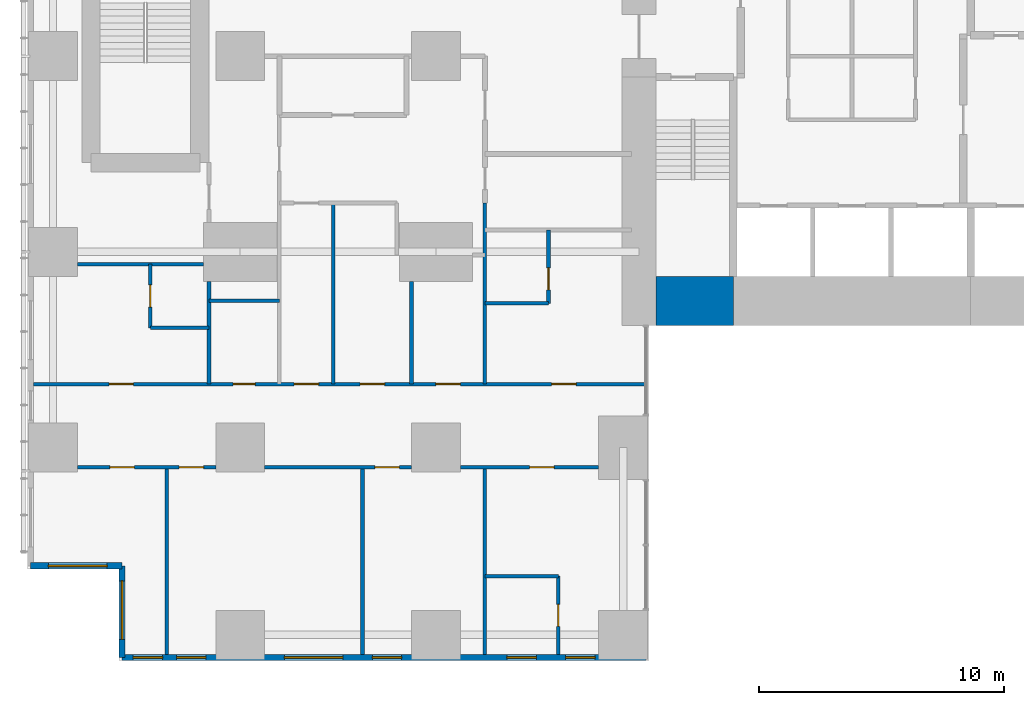
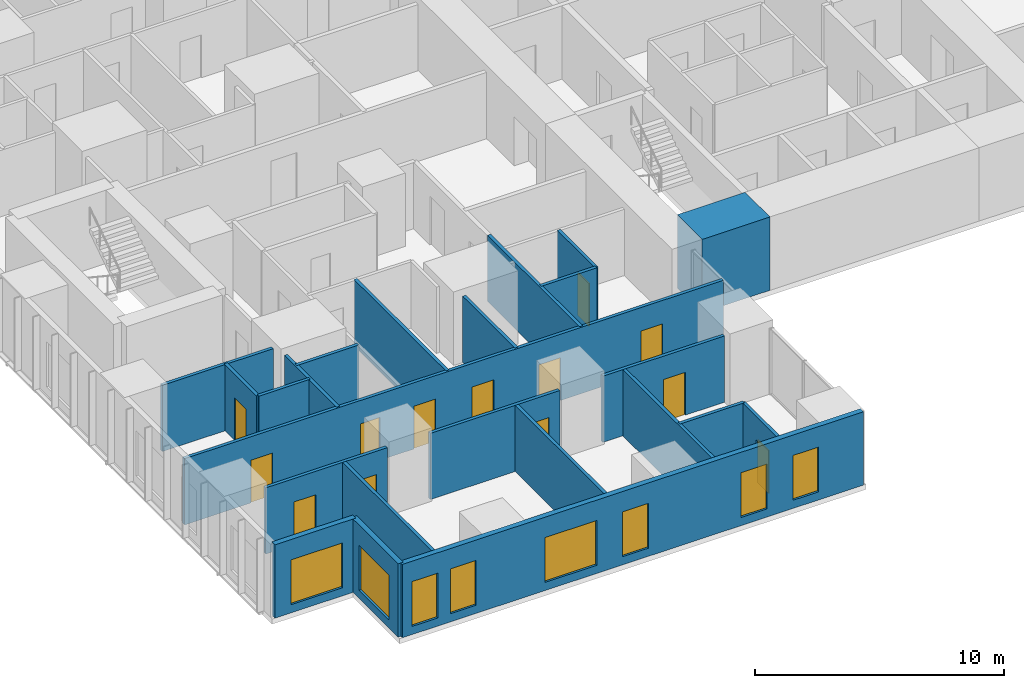
# One storey, part 12 of 20: 23 walls, 13 doors, 8 windows, 21 openings.
"""IFC4 building model written with IfcOpenShell, lengths in metres."""

from ifc_helpers import new_model, si_unit, direction, frame, frame_2d, origin, place, context, subcontext, project, spatial, rectangle, extrude, material, layer, layer_set, type_object, element, fill, save


model = new_model("IFC4")

# Units and contexts
model_context = context("Model", 3, precision=1e-05, world=origin(), true_north=direction((0.0, 1.0)))
body_context = subcontext(model_context, "Body", "Model", "MODEL_VIEW")
ifc_project = project(units=[si_unit("LENGTHUNIT", "METRE"), si_unit("AREAUNIT", "SQUARE_METRE"), si_unit("VOLUMEUNIT", "CUBIC_METRE"), si_unit("PLANEANGLEUNIT", "RADIAN"), si_unit("MASSUNIT", "GRAM", prefix="KILO")], contexts=[model_context])

# Site, building, storey
site_placement = place(None, origin())
site = spatial("IfcSite", under=ifc_project, at=site_placement, CompositionType="ELEMENT")
building_placement = place(site_placement, origin())
building = spatial("IfcBuilding", under=site, at=building_placement, Name="Cleftline Residences", CompositionType="ELEMENT")
storey_placement = place(building_placement, frame((0.0, 0.0, 168.199951171875)))
storey = spatial("IfcBuildingStorey", under=building, at=storey_placement, Name="L44", CompositionType="ELEMENT", Elevation=168.199951171875)

# Wall
ifc_material_1 = material(Name="Concrete B70", Category="concrete")
ifc_layer_1 = layer(ifc_material_1, 2.0)
ifc_layer_set_1 = layer_set([ifc_layer_1], Name="CORE WALL 2000")
wall_type_1 = type_object("IfcWallType", Name="CORE WALL 2000", PredefinedType="SHEAR", material=ifc_layer_set_1)
wall_1_placement = place(storey_placement, frame((25.0, 14.0, 0.0), z_axis=(0.0, 0.0, 1.0), x_axis=(1.0, 0.0, 0.0)))
element("IfcWall", 1, at=wall_1_placement, inside=storey, type_object=wall_type_1, Name="Core wall S1", PredefinedType="SHEAR", context=body_context, shape_type="SweptSolid", body=[
    extrude(rectangle(XDim=3.14990234375, YDim=2.0, at=frame_2d((1.574951171875, 0.0))), origin(), (0.0, 0.0, 1.0), 3.60009765625),
])

# Wall, opening, window
ifc_material_2 = material(Name="Rendered reinforced concrete blockwork", Category="masonry")
ifc_layer_2 = layer(ifc_material_2, 0.25)
ifc_layer_set_2 = layer_set([ifc_layer_2], Name="EXTERNAL WALL 250")
wall_type_2 = type_object("IfcWallType", Name="EXTERNAL WALL 250", PredefinedType="SOLIDWALL", material=ifc_layer_set_2)
wall_2_placement = place(storey_placement, frame((-0.574951171875, 3.175048828125, 0.0), z_axis=(0.0, 0.0, 1.0), x_axis=(1.0, 0.0, 0.0)))
wall_2 = element("IfcWall", 2, at=wall_2_placement, inside=storey, type_object=wall_type_2, Name="External wall", PredefinedType="SOLIDWALL", context=body_context, shape_type="SweptSolid", body=[
    extrude(rectangle(XDim=3.75, YDim=0.25, at=frame_2d((1.875, 0.0))), origin(), (0.0, 0.0, 1.0), 3.60009765625),
])
opening_1_placement = place(wall_2_placement, frame((0.737548828125, 0.0, 0.39990234375)))
opening_1 = element("IfcOpeningElement", 3, at=opening_1_placement, cuts=wall_2, Name="Opening W12", PredefinedType="OPENING", context=body_context, shape_type="SweptSolid", body=[
    extrude(rectangle(XDim=2.39990234375, YDim=2.199951171875, at=frame_2d((1.199951171875, 1.10009765625))), frame((0.0, 0.135009765625, 0.0), z_axis=(0.0, -1.0, 0.0), x_axis=(1.0, 0.0, 0.0)), (0.0, 0.0, 1.0), 0.27001953125),
])
ifc_material_3 = material(Name="Aluminium frame, clear double glazing", Category="aluminium")
window_type_1 = type_object("IfcWindowType", Name="WINDOW 2400X2200", PartitioningType="DOUBLE_PANEL_VERTICAL", PredefinedType="WINDOW", material=ifc_material_3)
window_1_placement = place(opening_1_placement, origin())
window_1 = element("IfcWindow", 4, at=window_1_placement, inside=storey, type_object=window_type_1, Name="Window", OverallHeight=2.199951171875, OverallWidth=2.39990234375, PartitioningType="SINGLE_PANEL", PredefinedType="WINDOW", context=body_context, shape_type="SweptSolid", body=[
    extrude(rectangle(XDim=2.39990234375, YDim=2.199951171875, at=frame_2d((1.199951171875, 1.10009765625))), frame((0.0, 0.030029296875, 0.0), z_axis=(0.0, -1.0, 0.0), x_axis=(1.0, 0.0, 0.0)), (0.0, 0.0, 1.0), 0.06005859375),
])
fill(opening_1, window_1)

wall_3_placement = place(storey_placement, frame((3.175048828125, 3.175048828125, 0.0), z_axis=(0.0, 0.0, 1.0), x_axis=(0.0, -1.0, 0.0)))
wall_3 = element("IfcWall", 5, at=wall_3_placement, inside=storey, type_object=wall_type_2, Name="External wall", PredefinedType="SOLIDWALL", context=body_context, shape_type="SweptSolid", body=[
    extrude(rectangle(XDim=3.75, YDim=0.25, at=frame_2d((1.875, 0.0))), origin(), (0.0, 0.0, 1.0), 3.60009765625),
])
opening_2_placement = place(wall_3_placement, frame((0.612548828125, 0.0, 0.39990234375)))
opening_2 = element("IfcOpeningElement", 6, at=opening_2_placement, cuts=wall_3, Name="Opening W12", PredefinedType="OPENING", context=body_context, shape_type="SweptSolid", body=[
    extrude(rectangle(XDim=2.39990234375, YDim=2.199951171875, at=frame_2d((1.199951171875, 1.10009765625))), frame((0.0, 0.135009765625, 0.0), z_axis=(0.0, -1.0, 0.0), x_axis=(1.0, 0.0, 0.0)), (0.0, 0.0, 1.0), 0.27001953125),
])
window_2_placement = place(opening_2_placement, origin())
window_2 = element("IfcWindow", 7, at=window_2_placement, inside=storey, type_object=window_type_1, Name="Window", OverallHeight=2.199951171875, OverallWidth=2.39990234375, PartitioningType="SINGLE_PANEL", PredefinedType="WINDOW", context=body_context, shape_type="SweptSolid", body=[
    extrude(rectangle(XDim=2.39990234375, YDim=2.199951171875, at=frame_2d((1.199951171875, 1.10009765625))), frame((0.0, 0.030029296875, 0.0), z_axis=(0.0, -1.0, 0.0), x_axis=(1.0, 0.0, 0.0)), (0.0, 0.0, 1.0), 0.06005859375),
])
fill(opening_2, window_2)

# Wall, openings, windows
wall_4_placement = place(storey_placement, frame((3.175048828125, -0.574951171875, 0.0), z_axis=(0.0, 0.0, 1.0), x_axis=(1.0, 0.0, 0.0)))
wall_4 = element("IfcWall", 8, at=wall_4_placement, inside=storey, type_object=wall_type_2, Name="External wall", PredefinedType="SOLIDWALL", context=body_context, shape_type="SweptSolid", body=[
    extrude(rectangle(XDim=21.39990234375, YDim=0.25, at=frame_2d((10.699951171875, 0.0))), origin(), (0.0, 0.0, 1.0), 3.60009765625),
])
opening_3_placement = place(wall_4_placement, frame((0.449951171875, 0.0, 0.39990234375)))
opening_3 = element("IfcOpeningElement", 9, at=opening_3_placement, cuts=wall_4, Name="Opening W11", PredefinedType="OPENING", context=body_context, shape_type="SweptSolid", body=[
    extrude(rectangle(XDim=1.199951171875, YDim=2.199951171875, at=frame_2d((0.60009765625, 1.10009765625))), frame((0.0, 0.135009765625, 0.0), z_axis=(0.0, -1.0, 0.0), x_axis=(1.0, 0.0, 0.0)), (0.0, 0.0, 1.0), 0.27001953125),
])
opening_4_placement = place(wall_4_placement, frame((2.22509765625, 0.0, 0.39990234375)))
opening_4 = element("IfcOpeningElement", 10, at=opening_4_placement, cuts=wall_4, Name="Opening W11", PredefinedType="OPENING", context=body_context, shape_type="SweptSolid", body=[
    extrude(rectangle(XDim=1.199951171875, YDim=2.199951171875, at=frame_2d((0.60009765625, 1.10009765625))), frame((0.0, 0.135009765625, 0.0), z_axis=(0.0, -1.0, 0.0), x_axis=(1.0, 0.0, 0.0)), (0.0, 0.0, 1.0), 0.27001953125),
])
opening_5_placement = place(wall_4_placement, frame((6.625, 0.0, 0.39990234375)))
opening_5 = element("IfcOpeningElement", 11, at=opening_5_placement, cuts=wall_4, Name="Opening W12", PredefinedType="OPENING", context=body_context, shape_type="SweptSolid", body=[
    extrude(rectangle(XDim=2.39990234375, YDim=2.199951171875, at=frame_2d((1.199951171875, 1.10009765625))), frame((0.0, 0.135009765625, 0.0), z_axis=(0.0, -1.0, 0.0), x_axis=(1.0, 0.0, 0.0)), (0.0, 0.0, 1.0), 0.27001953125),
])
opening_6_placement = place(wall_4_placement, frame((10.22509765625, 0.0, 0.39990234375)))
opening_6 = element("IfcOpeningElement", 12, at=opening_6_placement, cuts=wall_4, Name="Opening W11", PredefinedType="OPENING", context=body_context, shape_type="SweptSolid", body=[
    extrude(rectangle(XDim=1.199951171875, YDim=2.199951171875, at=frame_2d((0.60009765625, 1.10009765625))), frame((0.0, 0.135009765625, 0.0), z_axis=(0.0, -1.0, 0.0), x_axis=(1.0, 0.0, 0.0)), (0.0, 0.0, 1.0), 0.27001953125),
])
opening_7_placement = place(wall_4_placement, frame((15.72509765625, 0.0, 0.39990234375)))
opening_7 = element("IfcOpeningElement", 13, at=opening_7_placement, cuts=wall_4, Name="Opening W11", PredefinedType="OPENING", context=body_context, shape_type="SweptSolid", body=[
    extrude(rectangle(XDim=1.199951171875, YDim=2.199951171875, at=frame_2d((0.60009765625, 1.10009765625))), frame((0.0, 0.135009765625, 0.0), z_axis=(0.0, -1.0, 0.0), x_axis=(1.0, 0.0, 0.0)), (0.0, 0.0, 1.0), 0.27001953125),
])
opening_8_placement = place(wall_4_placement, frame((18.125, 0.0, 0.39990234375)))
opening_8 = element("IfcOpeningElement", 14, at=opening_8_placement, cuts=wall_4, Name="Opening W11", PredefinedType="OPENING", context=body_context, shape_type="SweptSolid", body=[
    extrude(rectangle(XDim=1.199951171875, YDim=2.199951171875, at=frame_2d((0.60009765625, 1.10009765625))), frame((0.0, 0.135009765625, 0.0), z_axis=(0.0, -1.0, 0.0), x_axis=(1.0, 0.0, 0.0)), (0.0, 0.0, 1.0), 0.27001953125),
])
ifc_material_4 = material(Name="Aluminium frame, clear double glazing", Category="aluminium")
window_type_2 = type_object("IfcWindowType", Name="WINDOW 1200X2200", PartitioningType="DOUBLE_PANEL_VERTICAL", PredefinedType="WINDOW", material=ifc_material_4)
window_3_placement = place(opening_3_placement, origin())
window_3 = element("IfcWindow", 15, at=window_3_placement, inside=storey, type_object=window_type_2, Name="Window", OverallHeight=2.199951171875, OverallWidth=1.199951171875, PartitioningType="SINGLE_PANEL", PredefinedType="WINDOW", context=body_context, shape_type="SweptSolid", body=[
    extrude(rectangle(XDim=1.199951171875, YDim=2.199951171875, at=frame_2d((0.60009765625, 1.10009765625))), frame((0.0, 0.030029296875, 0.0), z_axis=(0.0, -1.0, 0.0), x_axis=(1.0, 0.0, 0.0)), (0.0, 0.0, 1.0), 0.06005859375),
])
fill(opening_3, window_3)
window_4_placement = place(opening_4_placement, origin())
window_4 = element("IfcWindow", 16, at=window_4_placement, inside=storey, type_object=window_type_2, Name="Window", OverallHeight=2.199951171875, OverallWidth=1.199951171875, PartitioningType="SINGLE_PANEL", PredefinedType="WINDOW", context=body_context, shape_type="SweptSolid", body=[
    extrude(rectangle(XDim=1.199951171875, YDim=2.199951171875, at=frame_2d((0.60009765625, 1.10009765625))), frame((0.0, 0.030029296875, 0.0), z_axis=(0.0, -1.0, 0.0), x_axis=(1.0, 0.0, 0.0)), (0.0, 0.0, 1.0), 0.06005859375),
])
fill(opening_4, window_4)
window_5_placement = place(opening_6_placement, origin())
window_5 = element("IfcWindow", 17, at=window_5_placement, inside=storey, type_object=window_type_2, Name="Window", OverallHeight=2.199951171875, OverallWidth=1.199951171875, PartitioningType="SINGLE_PANEL", PredefinedType="WINDOW", context=body_context, shape_type="SweptSolid", body=[
    extrude(rectangle(XDim=1.199951171875, YDim=2.199951171875, at=frame_2d((0.60009765625, 1.10009765625))), frame((0.0, 0.030029296875, 0.0), z_axis=(0.0, -1.0, 0.0), x_axis=(1.0, 0.0, 0.0)), (0.0, 0.0, 1.0), 0.06005859375),
])
fill(opening_6, window_5)
window_6_placement = place(opening_7_placement, origin())
window_6 = element("IfcWindow", 18, at=window_6_placement, inside=storey, type_object=window_type_2, Name="Window", OverallHeight=2.199951171875, OverallWidth=1.199951171875, PartitioningType="SINGLE_PANEL", PredefinedType="WINDOW", context=body_context, shape_type="SweptSolid", body=[
    extrude(rectangle(XDim=1.199951171875, YDim=2.199951171875, at=frame_2d((0.60009765625, 1.10009765625))), frame((0.0, 0.030029296875, 0.0), z_axis=(0.0, -1.0, 0.0), x_axis=(1.0, 0.0, 0.0)), (0.0, 0.0, 1.0), 0.06005859375),
])
fill(opening_7, window_6)
window_7_placement = place(opening_8_placement, origin())
window_7 = element("IfcWindow", 19, at=window_7_placement, inside=storey, type_object=window_type_2, Name="Window", OverallHeight=2.199951171875, OverallWidth=1.199951171875, PartitioningType="SINGLE_PANEL", PredefinedType="WINDOW", context=body_context, shape_type="SweptSolid", body=[
    extrude(rectangle(XDim=1.199951171875, YDim=2.199951171875, at=frame_2d((0.60009765625, 1.10009765625))), frame((0.0, 0.030029296875, 0.0), z_axis=(0.0, -1.0, 0.0), x_axis=(1.0, 0.0, 0.0)), (0.0, 0.0, 1.0), 0.06005859375),
])
fill(opening_8, window_7)
window_8_placement = place(opening_5_placement, origin())
window_8 = element("IfcWindow", 20, at=window_8_placement, inside=storey, type_object=window_type_1, Name="Window", OverallHeight=2.199951171875, OverallWidth=2.39990234375, PartitioningType="SINGLE_PANEL", PredefinedType="WINDOW", context=body_context, shape_type="SweptSolid", body=[
    extrude(rectangle(XDim=2.39990234375, YDim=2.199951171875, at=frame_2d((1.199951171875, 1.10009765625))), frame((0.0, 0.030029296875, 0.0), z_axis=(0.0, -1.0, 0.0), x_axis=(1.0, 0.0, 0.0)), (0.0, 0.0, 1.0), 0.06005859375),
])
fill(opening_5, window_8)

# Wall
ifc_material_5 = material(Name="Gypsum board on steel studs", Category="steel")
ifc_layer_3 = layer(ifc_material_5, 0.14990234375)
ifc_layer_set_3 = layer_set([ifc_layer_3], Name="PARTITION 150")
wall_type_3 = type_object("IfcWallType", Name="PARTITION 150", PredefinedType="PARTITIONING", material=ifc_layer_set_3)
wall_5_placement = place(storey_placement, frame((18.0, 2.75, 0.0), z_axis=(0.0, 0.0, 1.0), x_axis=(1.0, 0.0, 0.0)))
element("IfcWall", 21, at=wall_5_placement, inside=storey, type_object=wall_type_3, Name="Partition", PredefinedType="PARTITIONING", context=body_context, shape_type="SweptSolid", body=[
    extrude(rectangle(XDim=3.0, YDim=0.14990234375, at=frame_2d((1.5, 0.0))), origin(), (0.0, 0.0, 1.0), 3.25),
])

# Wall, openings, doors
wall_6_placement = place(storey_placement, frame((1.35009765625, 7.199951171875, 0.0), z_axis=(0.0, 0.0, 1.0), x_axis=(1.0, 0.0, 0.0)))
wall_6 = element("IfcWall", 22, at=wall_6_placement, inside=storey, type_object=wall_type_3, Name="Partition", PredefinedType="PARTITIONING", context=body_context, shape_type="SweptSolid", body=[
    extrude(rectangle(XDim=5.64990234375, YDim=0.14990234375, at=frame_2d((2.824951171875, 0.0))), origin(), (0.0, 0.0, 1.0), 3.25),
])
opening_9_placement = place(wall_6_placement, frame((1.324951171875, 0.0, 0.0)))
opening_9 = element("IfcOpeningElement", 23, at=opening_9_placement, cuts=wall_6, Name="Opening D2", PredefinedType="OPENING", context=body_context, shape_type="SweptSolid", body=[
    extrude(rectangle(XDim=1.0, YDim=2.10009765625, at=frame_2d((0.5, 1.050048828125))), frame((0.0, 0.0849609375, 0.0), z_axis=(0.0, -1.0, 0.0), x_axis=(1.0, 0.0, 0.0)), (0.0, 0.0, 1.0), 0.169921875),
])
opening_10_placement = place(wall_6_placement, frame((4.14990234375, 0.0, 0.0)))
opening_10 = element("IfcOpeningElement", 24, at=opening_10_placement, cuts=wall_6, Name="Opening D2", PredefinedType="OPENING", context=body_context, shape_type="SweptSolid", body=[
    extrude(rectangle(XDim=1.0, YDim=2.10009765625, at=frame_2d((0.5, 1.050048828125))), frame((0.0, 0.0849609375, 0.0), z_axis=(0.0, -1.0, 0.0), x_axis=(1.0, 0.0, 0.0)), (0.0, 0.0, 1.0), 0.169921875),
])
ifc_material_6 = material(Name="Timber veneer on solid core", Category="wood")
door_type_1 = type_object("IfcDoorType", Name="DOOR 1000X2100", OperationType="SINGLE_SWING_LEFT", PredefinedType="DOOR", material=ifc_material_6)
door_1_placement = place(opening_9_placement, origin())
door_1 = element("IfcDoor", 25, at=door_1_placement, inside=storey, type_object=door_type_1, Name="Door to winter garden", OperationType="SINGLE_SWING_RIGHT", OverallHeight=2.10009765625, OverallWidth=1.0, PredefinedType="DOOR", context=body_context, shape_type="SweptSolid", body=[
    extrude(rectangle(XDim=1.0, YDim=2.10009765625, at=frame_2d((0.5, 1.050048828125))), frame((0.0, 0.02490234375, 0.0), z_axis=(0.0, -1.0, 0.0), x_axis=(1.0, 0.0, 0.0)), (0.0, 0.0, 1.0), 0.050048828125),
])
fill(opening_9, door_1)
door_2_placement = place(opening_10_placement, origin())
door_2 = element("IfcDoor", 26, at=door_2_placement, inside=storey, type_object=door_type_1, Name="Door to living and dining room", OperationType="SINGLE_SWING_LEFT", OverallHeight=2.10009765625, OverallWidth=1.0, PredefinedType="DOOR", context=body_context, shape_type="SweptSolid", body=[
    extrude(rectangle(XDim=1.0, YDim=2.10009765625, at=frame_2d((0.5, 1.050048828125))), frame((0.0, 0.02490234375, 0.0), z_axis=(0.0, -1.0, 0.0), x_axis=(1.0, 0.0, 0.0)), (0.0, 0.0, 1.0), 0.050048828125),
])
fill(opening_10, door_2)

# Wall, opening, door
wall_7_placement = place(storey_placement, frame((9.0, 7.199951171875, 0.0), z_axis=(0.0, 0.0, 1.0), x_axis=(1.0, 0.0, 0.0)))
wall_7 = element("IfcWall", 27, at=wall_7_placement, inside=storey, type_object=wall_type_3, Name="Partition", PredefinedType="PARTITIONING", context=body_context, shape_type="SweptSolid", body=[
    extrude(rectangle(XDim=6.0, YDim=0.14990234375, at=frame_2d((3.0, 0.0))), origin(), (0.0, 0.0, 1.0), 3.25),
])
opening_11_placement = place(wall_7_placement, frame((4.5, 0.0, 0.0)))
opening_11 = element("IfcOpeningElement", 28, at=opening_11_placement, cuts=wall_7, Name="Opening D2", PredefinedType="OPENING", context=body_context, shape_type="SweptSolid", body=[
    extrude(rectangle(XDim=1.0, YDim=2.10009765625, at=frame_2d((0.5, 1.050048828125))), frame((0.0, 0.0849609375, 0.0), z_axis=(0.0, -1.0, 0.0), x_axis=(1.0, 0.0, 0.0)), (0.0, 0.0, 1.0), 0.169921875),
])
door_3_placement = place(opening_11_placement, origin())
door_3 = element("IfcDoor", 29, at=door_3_placement, inside=storey, type_object=door_type_1, Name="Door to show kitchen", OperationType="SINGLE_SWING_LEFT", OverallHeight=2.10009765625, OverallWidth=1.0, PredefinedType="DOOR", context=body_context, shape_type="SweptSolid", body=[
    extrude(rectangle(XDim=1.0, YDim=2.10009765625, at=frame_2d((0.5, 1.050048828125))), frame((0.0, 0.02490234375, 0.0), z_axis=(0.0, -1.0, 0.0), x_axis=(1.0, 0.0, 0.0)), (0.0, 0.0, 1.0), 0.050048828125),
])
fill(opening_11, door_3)

wall_8_placement = place(storey_placement, frame((17.0, 7.199951171875, 0.0), z_axis=(0.0, 0.0, 1.0), x_axis=(1.0, 0.0, 0.0)))
wall_8 = element("IfcWall", 30, at=wall_8_placement, inside=storey, type_object=wall_type_3, Name="Partition", PredefinedType="PARTITIONING", context=body_context, shape_type="SweptSolid", body=[
    extrude(rectangle(XDim=5.64990234375, YDim=0.14990234375, at=frame_2d((2.824951171875, 0.0))), origin(), (0.0, 0.0, 1.0), 3.25),
])
opening_12_placement = place(wall_8_placement, frame((2.824951171875, 0.0, 0.0)))
opening_12 = element("IfcOpeningElement", 31, at=opening_12_placement, cuts=wall_8, Name="Opening D2", PredefinedType="OPENING", context=body_context, shape_type="SweptSolid", body=[
    extrude(rectangle(XDim=1.0, YDim=2.10009765625, at=frame_2d((0.5, 1.050048828125))), frame((0.0, 0.0849609375, 0.0), z_axis=(0.0, -1.0, 0.0), x_axis=(1.0, 0.0, 0.0)), (0.0, 0.0, 1.0), 0.169921875),
])
door_4_placement = place(opening_12_placement, origin())
door_4 = element("IfcDoor", 32, at=door_4_placement, inside=storey, type_object=door_type_1, Name="Door to master bedroom", OperationType="SINGLE_SWING_LEFT", OverallHeight=2.10009765625, OverallWidth=1.0, PredefinedType="DOOR", context=body_context, shape_type="SweptSolid", body=[
    extrude(rectangle(XDim=1.0, YDim=2.10009765625, at=frame_2d((0.5, 1.050048828125))), frame((0.0, 0.02490234375, 0.0), z_axis=(0.0, -1.0, 0.0), x_axis=(1.0, 0.0, 0.0)), (0.0, 0.0, 1.0), 0.050048828125),
])
fill(opening_12, door_4)

# Wall, openings, doors
wall_9_placement = place(storey_placement, frame((-0.449951171875, 10.60009765625, 0.0), z_axis=(0.0, 0.0, 1.0), x_axis=(1.0, 0.0, 0.0)))
wall_9 = element("IfcWall", 33, at=wall_9_placement, inside=storey, type_object=wall_type_3, Name="Partition", PredefinedType="PARTITIONING", context=body_context, shape_type="SweptSolid", body=[
    extrude(rectangle(XDim=25.010986328125, YDim=0.14990234375, at=frame_2d((12.50537109375, 0.0))), origin(), (0.0, 0.0, 1.0), 3.25),
])
opening_13_placement = place(wall_9_placement, frame((10.64990234375, 0.0, 0.0)))
opening_13 = element("IfcOpeningElement", 34, at=opening_13_placement, cuts=wall_9, Name="Opening D2", PredefinedType="OPENING", context=body_context, shape_type="SweptSolid", body=[
    extrude(rectangle(XDim=1.0, YDim=2.10009765625, at=frame_2d((0.5, 1.050048828125))), frame((0.0, 0.0849609375, 0.0), z_axis=(0.0, -1.0, 0.0), x_axis=(1.0, 0.0, 0.0)), (0.0, 0.0, 1.0), 0.169921875),
])
opening_14_placement = place(wall_9_placement, frame((3.08740234375, 0.0, 0.0)))
opening_14 = element("IfcOpeningElement", 35, at=opening_14_placement, cuts=wall_9, Name="Opening D2", PredefinedType="OPENING", context=body_context, shape_type="SweptSolid", body=[
    extrude(rectangle(XDim=1.0, YDim=2.10009765625, at=frame_2d((0.5, 1.050048828125))), frame((0.0, 0.0849609375, 0.0), z_axis=(0.0, -1.0, 0.0), x_axis=(1.0, 0.0, 0.0)), (0.0, 0.0, 1.0), 0.169921875),
])
opening_15_placement = place(wall_9_placement, frame((8.16259765625, 0.0, 0.0)))
opening_15 = element("IfcOpeningElement", 36, at=opening_15_placement, cuts=wall_9, Name="Opening D1", PredefinedType="OPENING", context=body_context, shape_type="SweptSolid", body=[
    extrude(rectangle(XDim=0.89990234375, YDim=2.10009765625, at=frame_2d((0.449951171875, 1.050048828125))), frame((0.0, 0.0849609375, 0.0), z_axis=(0.0, -1.0, 0.0), x_axis=(1.0, 0.0, 0.0)), (0.0, 0.0, 1.0), 0.169921875),
])
opening_16_placement = place(wall_9_placement, frame((13.35009765625, 0.0, 0.0)))
opening_16 = element("IfcOpeningElement", 37, at=opening_16_placement, cuts=wall_9, Name="Opening D2", PredefinedType="OPENING", context=body_context, shape_type="SweptSolid", body=[
    extrude(rectangle(XDim=1.0, YDim=2.10009765625, at=frame_2d((0.5, 1.050048828125))), frame((0.0, 0.0849609375, 0.0), z_axis=(0.0, -1.0, 0.0), x_axis=(1.0, 0.0, 0.0)), (0.0, 0.0, 1.0), 0.169921875),
])
opening_17_placement = place(wall_9_placement, frame((16.449951171875, 0.0, 0.0)))
opening_17 = element("IfcOpeningElement", 38, at=opening_17_placement, cuts=wall_9, Name="Opening D2", PredefinedType="OPENING", context=body_context, shape_type="SweptSolid", body=[
    extrude(rectangle(XDim=1.0, YDim=2.10009765625, at=frame_2d((0.5, 1.050048828125))), frame((0.0, 0.0849609375, 0.0), z_axis=(0.0, -1.0, 0.0), x_axis=(1.0, 0.0, 0.0)), (0.0, 0.0, 1.0), 0.169921875),
])
opening_18_placement = place(wall_9_placement, frame((21.175048828125, 0.0, 0.0)))
opening_18 = element("IfcOpeningElement", 39, at=opening_18_placement, cuts=wall_9, Name="Opening D2", PredefinedType="OPENING", context=body_context, shape_type="SweptSolid", body=[
    extrude(rectangle(XDim=1.0, YDim=2.10009765625, at=frame_2d((0.5, 1.050048828125))), frame((0.0, 0.0849609375, 0.0), z_axis=(0.0, -1.0, 0.0), x_axis=(1.0, 0.0, 0.0)), (0.0, 0.0, 1.0), 0.169921875),
])
door_5_placement = place(opening_13_placement, origin())
door_5 = element("IfcDoor", 40, at=door_5_placement, inside=storey, type_object=door_type_1, Name="Door to residence hall", OperationType="SINGLE_SWING_RIGHT", OverallHeight=2.10009765625, OverallWidth=1.0, PredefinedType="DOOR", context=body_context, shape_type="SweptSolid", body=[
    extrude(rectangle(XDim=1.0, YDim=2.10009765625, at=frame_2d((0.5, 1.050048828125))), frame((0.0, 0.02490234375, 0.0), z_axis=(0.0, -1.0, 0.0), x_axis=(1.0, 0.0, 0.0)), (0.0, 0.0, 1.0), 0.050048828125),
])
fill(opening_13, door_5)
door_6_placement = place(opening_14_placement, origin())
door_6 = element("IfcDoor", 41, at=door_6_placement, inside=storey, type_object=door_type_1, Name="Door to bedroom 2", OperationType="SINGLE_SWING_RIGHT", OverallHeight=2.10009765625, OverallWidth=1.0, PredefinedType="DOOR", context=body_context, shape_type="SweptSolid", body=[
    extrude(rectangle(XDim=1.0, YDim=2.10009765625, at=frame_2d((0.5, 1.050048828125))), frame((0.0, 0.02490234375, 0.0), z_axis=(0.0, -1.0, 0.0), x_axis=(1.0, 0.0, 0.0)), (0.0, 0.0, 1.0), 0.050048828125),
])
fill(opening_14, door_6)
door_7_placement = place(opening_16_placement, origin())
door_7 = element("IfcDoor", 42, at=door_7_placement, inside=storey, type_object=door_type_1, Name="Door to family room", OperationType="SINGLE_SWING_LEFT", OverallHeight=2.10009765625, OverallWidth=1.0, PredefinedType="DOOR", context=body_context, shape_type="SweptSolid", body=[
    extrude(rectangle(XDim=1.0, YDim=2.10009765625, at=frame_2d((0.5, 1.050048828125))), frame((0.0, 0.02490234375, 0.0), z_axis=(0.0, -1.0, 0.0), x_axis=(1.0, 0.0, 0.0)), (0.0, 0.0, 1.0), 0.050048828125),
])
fill(opening_16, door_7)
door_8_placement = place(opening_17_placement, origin())
door_8 = element("IfcDoor", 43, at=door_8_placement, inside=storey, type_object=door_type_1, Name="Door to wet kitchen", OperationType="SINGLE_SWING_LEFT", OverallHeight=2.10009765625, OverallWidth=1.0, PredefinedType="DOOR", context=body_context, shape_type="SweptSolid", body=[
    extrude(rectangle(XDim=1.0, YDim=2.10009765625, at=frame_2d((0.5, 1.050048828125))), frame((0.0, 0.02490234375, 0.0), z_axis=(0.0, -1.0, 0.0), x_axis=(1.0, 0.0, 0.0)), (0.0, 0.0, 1.0), 0.050048828125),
])
fill(opening_17, door_8)
door_9_placement = place(opening_18_placement, origin())
door_9 = element("IfcDoor", 44, at=door_9_placement, inside=storey, type_object=door_type_1, Name="Door to bedroom 3", OperationType="SINGLE_SWING_LEFT", OverallHeight=2.10009765625, OverallWidth=1.0, PredefinedType="DOOR", context=body_context, shape_type="SweptSolid", body=[
    extrude(rectangle(XDim=1.0, YDim=2.10009765625, at=frame_2d((0.5, 1.050048828125))), frame((0.0, 0.02490234375, 0.0), z_axis=(0.0, -1.0, 0.0), x_axis=(1.0, 0.0, 0.0)), (0.0, 0.0, 1.0), 0.050048828125),
])
fill(opening_18, door_9)
ifc_material_7 = material(Name="Timber veneer on solid core", Category="wood")
door_type_2 = type_object("IfcDoorType", Name="DOOR 900X2100", OperationType="SINGLE_SWING_LEFT", PredefinedType="DOOR", material=ifc_material_7)
door_10_placement = place(opening_15_placement, origin())
door_10 = element("IfcDoor", 45, at=door_10_placement, inside=storey, type_object=door_type_2, Name="Door to linen store", OperationType="SINGLE_SWING_RIGHT", OverallHeight=2.10009765625, OverallWidth=0.89990234375, PredefinedType="DOOR", context=body_context, shape_type="SweptSolid", body=[
    extrude(rectangle(XDim=0.89990234375, YDim=2.10009765625, at=frame_2d((0.449951171875, 1.050048828125))), frame((0.0, 0.02490234375, 0.0), z_axis=(0.0, -1.0, 0.0), x_axis=(1.0, 0.0, 0.0)), (0.0, 0.0, 1.0), 0.050048828125),
])
fill(opening_15, door_10)

# Walls
wall_10_placement = place(storey_placement, frame((4.324951171875, 12.89990234375, 0.0), z_axis=(0.0, 0.0, 1.0), x_axis=(1.0, 0.0, 0.0)))
element("IfcWall", 46, at=wall_10_placement, inside=storey, type_object=wall_type_3, Name="Partition", PredefinedType="PARTITIONING", context=body_context, shape_type="SweptSolid", body=[
    extrude(rectangle(XDim=2.400146484375, YDim=0.14990234375, at=frame_2d((1.2001953125, 0.0))), origin(), (0.0, 0.0, 1.0), 3.25),
])
wall_11_placement = place(storey_placement, frame((18.0, 13.89990234375, 0.0), z_axis=(0.0, 0.0, 1.0), x_axis=(1.0, 0.0, 0.0)))
element("IfcWall", 47, at=wall_11_placement, inside=storey, type_object=wall_type_3, Name="Partition", PredefinedType="PARTITIONING", context=body_context, shape_type="SweptSolid", body=[
    extrude(rectangle(XDim=2.60009765625, YDim=0.14990234375, at=frame_2d((1.300048828125, 0.0))), origin(), (0.0, 0.0, 1.0), 3.25),
])
wall_12_placement = place(storey_placement, frame((6.72509765625, 14.0, 0.0), z_axis=(0.0, 0.0, 1.0), x_axis=(1.0, 0.0, 0.0)))
element("IfcWall", 48, at=wall_12_placement, inside=storey, type_object=wall_type_3, Name="Partition", PredefinedType="PARTITIONING", context=body_context, shape_type="SweptSolid", body=[
    extrude(rectangle(XDim=2.875, YDim=0.14990234375, at=frame_2d((1.4375, 0.0))), origin(), (0.0, 0.0, 1.0), 3.25),
])
wall_13_placement = place(storey_placement, frame((1.35009765625, 15.5, 0.0), z_axis=(0.0, 0.0, 1.0), x_axis=(1.0, 0.0, 0.0)))
element("IfcWall", 49, at=wall_13_placement, inside=storey, type_object=wall_type_3, Name="Partition", PredefinedType="PARTITIONING", context=body_context, shape_type="SweptSolid", body=[
    extrude(rectangle(XDim=5.14990234375, YDim=0.14990234375, at=frame_2d((2.574951171875, 0.0))), origin(), (0.0, 0.0, 1.0), 3.25),
])

# Wall, opening, door
wall_14_placement = place(storey_placement, frame((4.324951171875, 12.89990234375, 0.0), z_axis=(0.0, 0.0, 1.0), x_axis=(0.0, 1.0, 0.0)))
wall_14 = element("IfcWall", 50, at=wall_14_placement, inside=storey, type_object=wall_type_3, Name="Partition", PredefinedType="PARTITIONING", context=body_context, shape_type="SweptSolid", body=[
    extrude(rectangle(XDim=2.60009765625, YDim=0.14990234375, at=frame_2d((1.300048828125, 0.0))), origin(), (0.0, 0.0, 1.0), 3.25),
])
opening_19_placement = place(wall_14_placement, frame((0.85009765625, 0.0, 0.0)))
opening_19 = element("IfcOpeningElement", 51, at=opening_19_placement, cuts=wall_14, Name="Opening D1", PredefinedType="OPENING", context=body_context, shape_type="SweptSolid", body=[
    extrude(rectangle(XDim=0.89990234375, YDim=2.10009765625, at=frame_2d((0.449951171875, 1.050048828125))), frame((0.0, 0.0849609375, 0.0), z_axis=(0.0, -1.0, 0.0), x_axis=(1.0, 0.0, 0.0)), (0.0, 0.0, 1.0), 0.169921875),
])
door_11_placement = place(opening_19_placement, origin())
door_11 = element("IfcDoor", 52, at=door_11_placement, inside=storey, type_object=door_type_2, Name="Door to en-suite bathroom 2", OperationType="SINGLE_SWING_LEFT", OverallHeight=2.10009765625, OverallWidth=0.89990234375, PredefinedType="DOOR", context=body_context, shape_type="SweptSolid", body=[
    extrude(rectangle(XDim=0.89990234375, YDim=2.10009765625, at=frame_2d((0.449951171875, 1.050048828125))), frame((0.0, 0.02490234375, 0.0), z_axis=(0.0, -1.0, 0.0), x_axis=(1.0, 0.0, 0.0)), (0.0, 0.0, 1.0), 0.050048828125),
])
fill(opening_19, door_11)

# Walls
wall_15_placement = place(storey_placement, frame((5.0, -0.449951171875, 0.0), z_axis=(0.0, 0.0, 1.0), x_axis=(0.0, 1.0, 0.0)))
element("IfcWall", 53, at=wall_15_placement, inside=storey, type_object=wall_type_3, Name="Partition", PredefinedType="PARTITIONING", context=body_context, shape_type="SweptSolid", body=[
    extrude(rectangle(XDim=7.64990234375, YDim=0.14990234375, at=frame_2d((3.824951171875, 0.0))), origin(), (0.0, 0.0, 1.0), 3.25),
])
wall_16_placement = place(storey_placement, frame((6.72509765625, 10.60009765625, 0.0), z_axis=(0.0, 0.0, 1.0), x_axis=(0.0, 1.0, 0.0)))
element("IfcWall", 54, at=wall_16_placement, inside=storey, type_object=wall_type_3, Name="Partition", PredefinedType="PARTITIONING", context=body_context, shape_type="SweptSolid", body=[
    extrude(rectangle(XDim=4.199951171875, YDim=0.14990234375, at=frame_2d((2.10009765625, 0.0))), origin(), (0.0, 0.0, 1.0), 3.25),
])
wall_17_placement = place(storey_placement, frame((11.800048828125, 10.60009765625, 0.0), z_axis=(0.0, 0.0, 1.0), x_axis=(0.0, 1.0, 0.0)))
element("IfcWall", 55, at=wall_17_placement, inside=storey, type_object=wall_type_3, Name="Partition", PredefinedType="PARTITIONING", context=body_context, shape_type="SweptSolid", body=[
    extrude(rectangle(XDim=7.39990234375, YDim=0.14990234375, at=frame_2d((3.699951171875, 0.0))), origin(), (0.0, 0.0, 1.0), 3.25),
])
wall_18_placement = place(storey_placement, frame((13.0, -0.449951171875, 0.0), z_axis=(0.0, 0.0, 1.0), x_axis=(0.0, 1.0, 0.0)))
element("IfcWall", 56, at=wall_18_placement, inside=storey, type_object=wall_type_3, Name="Partition", PredefinedType="PARTITIONING", context=body_context, shape_type="SweptSolid", body=[
    extrude(rectangle(XDim=7.64990234375, YDim=0.14990234375, at=frame_2d((3.824951171875, 0.0))), origin(), (0.0, 0.0, 1.0), 3.25),
])
wall_19_placement = place(storey_placement, frame((15.0, 10.60009765625, 0.0), z_axis=(0.0, 0.0, 1.0), x_axis=(0.0, 1.0, 0.0)))
element("IfcWall", 57, at=wall_19_placement, inside=storey, type_object=wall_type_3, Name="Partition", PredefinedType="PARTITIONING", context=body_context, shape_type="SweptSolid", body=[
    extrude(rectangle(XDim=4.199951171875, YDim=0.14990234375, at=frame_2d((2.10009765625, 0.0))), origin(), (0.0, 0.0, 1.0), 3.25),
])
wall_20_placement = place(storey_placement, frame((18.0, -0.449951171875, 0.0), z_axis=(0.0, 0.0, 1.0), x_axis=(0.0, 1.0, 0.0)))
element("IfcWall", 58, at=wall_20_placement, inside=storey, type_object=wall_type_3, Name="Partition", PredefinedType="PARTITIONING", context=body_context, shape_type="SweptSolid", body=[
    extrude(rectangle(XDim=7.64990234375, YDim=0.14990234375, at=frame_2d((3.824951171875, 0.0))), origin(), (0.0, 0.0, 1.0), 3.25),
])
wall_21_placement = place(storey_placement, frame((18.0, 10.60009765625, 0.0), z_axis=(0.0, 0.0, 1.0), x_axis=(0.0, 1.0, 0.0)))
element("IfcWall", 59, at=wall_21_placement, inside=storey, type_object=wall_type_3, Name="Partition", PredefinedType="PARTITIONING", context=body_context, shape_type="SweptSolid", body=[
    extrude(rectangle(XDim=7.39990234375, YDim=0.14990234375, at=frame_2d((3.699951171875, 0.0))), origin(), (0.0, 0.0, 1.0), 3.25),
])

# Wall, opening, door
wall_22_placement = place(storey_placement, frame((20.60009765625, 13.89990234375, 0.0), z_axis=(0.0, 0.0, 1.0), x_axis=(0.0, 1.0, 0.0)))
wall_22 = element("IfcWall", 60, at=wall_22_placement, inside=storey, type_object=wall_type_3, Name="Partition", PredefinedType="PARTITIONING", context=body_context, shape_type="SweptSolid", body=[
    extrude(rectangle(XDim=3.0, YDim=0.14990234375, at=frame_2d((1.5, 0.0))), origin(), (0.0, 0.0, 1.0), 3.25),
])
opening_20_placement = place(wall_22_placement, frame((0.550048828125, 0.0, 0.0)))
opening_20 = element("IfcOpeningElement", 61, at=opening_20_placement, cuts=wall_22, Name="Opening D1", PredefinedType="OPENING", context=body_context, shape_type="SweptSolid", body=[
    extrude(rectangle(XDim=0.89990234375, YDim=2.10009765625, at=frame_2d((0.449951171875, 1.050048828125))), frame((0.0, 0.0849609375, 0.0), z_axis=(0.0, -1.0, 0.0), x_axis=(1.0, 0.0, 0.0)), (0.0, 0.0, 1.0), 0.169921875),
])
door_12_placement = place(opening_20_placement, origin())
door_12 = element("IfcDoor", 62, at=door_12_placement, inside=storey, type_object=door_type_2, Name="Door to en-suite bathroom 3", OperationType="SINGLE_SWING_RIGHT", OverallHeight=2.10009765625, OverallWidth=0.89990234375, PredefinedType="DOOR", context=body_context, shape_type="SweptSolid", body=[
    extrude(rectangle(XDim=0.89990234375, YDim=2.10009765625, at=frame_2d((0.449951171875, 1.050048828125))), frame((0.0, 0.02490234375, 0.0), z_axis=(0.0, -1.0, 0.0), x_axis=(1.0, 0.0, 0.0)), (0.0, 0.0, 1.0), 0.050048828125),
])
fill(opening_20, door_12)

wall_23_placement = place(storey_placement, frame((21.0, -0.449951171875, 0.0), z_axis=(0.0, 0.0, 1.0), x_axis=(0.0, 1.0, 0.0)))
wall_23 = element("IfcWall", 63, at=wall_23_placement, inside=storey, type_object=wall_type_3, Name="Partition", PredefinedType="PARTITIONING", context=body_context, shape_type="SweptSolid", body=[
    extrude(rectangle(XDim=3.199951171875, YDim=0.14990234375, at=frame_2d((1.60009765625, 0.0))), origin(), (0.0, 0.0, 1.0), 3.25),
])
opening_21_placement = place(wall_23_placement, frame((1.14990234375, 0.0, 0.0)))
opening_21 = element("IfcOpeningElement", 64, at=opening_21_placement, cuts=wall_23, Name="Opening D1", PredefinedType="OPENING", context=body_context, shape_type="SweptSolid", body=[
    extrude(rectangle(XDim=0.89990234375, YDim=2.10009765625, at=frame_2d((0.449951171875, 1.050048828125))), frame((0.0, 0.0849609375, 0.0), z_axis=(0.0, -1.0, 0.0), x_axis=(1.0, 0.0, 0.0)), (0.0, 0.0, 1.0), 0.169921875),
])
door_13_placement = place(opening_21_placement, origin())
door_13 = element("IfcDoor", 65, at=door_13_placement, inside=storey, type_object=door_type_2, Name="Door to master bathroom", OperationType="SINGLE_SWING_LEFT", OverallHeight=2.10009765625, OverallWidth=0.89990234375, PredefinedType="DOOR", context=body_context, shape_type="SweptSolid", body=[
    extrude(rectangle(XDim=0.89990234375, YDim=2.10009765625, at=frame_2d((0.449951171875, 1.050048828125))), frame((0.0, 0.02490234375, 0.0), z_axis=(0.0, -1.0, 0.0), x_axis=(1.0, 0.0, 0.0)), (0.0, 0.0, 1.0), 0.050048828125),
])
fill(opening_21, door_13)

save(model, "model.ifc")
